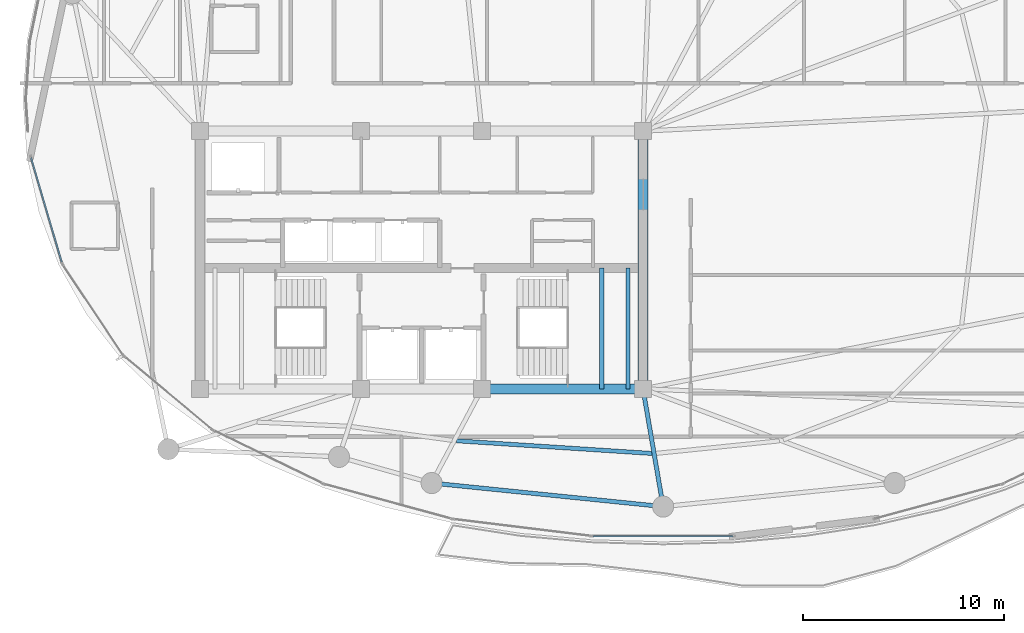
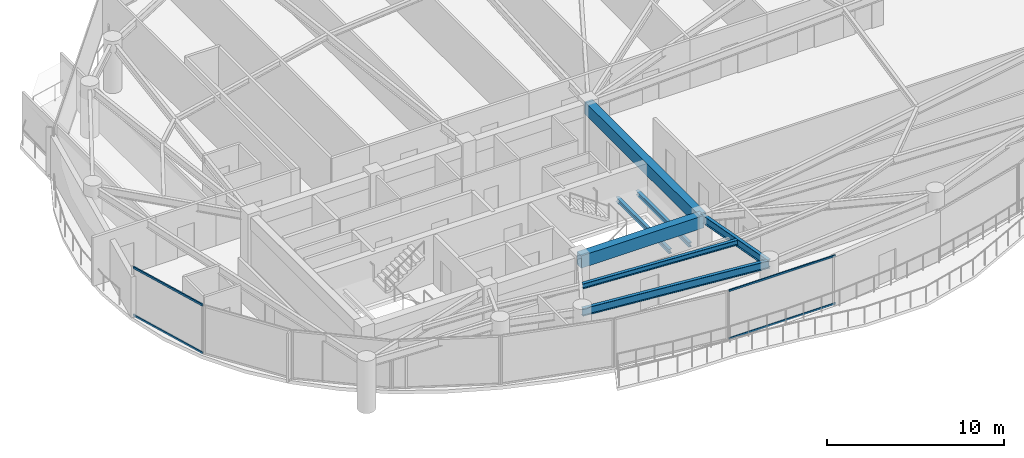
# One storey, part 6 of 29: 7 beams, 4 members, 2 elements without a shape of their own.
"""IFC4 building model written with IfcOpenShell, lengths in metres."""

from ifc_helpers import new_model, si_unit, direction, frame, origin, origin_2d, place, context, subcontext, project, spatial, rectangle, hollow_rectangle, i_section, extrude, material, layer, layer_set, material_profile, profile_set, type_object, element, aggregate, save


model = new_model("IFC4")

# Units and contexts
model_context = context("Model", 3, precision=1e-05, world=origin(), true_north=direction((0.0, 1.0)))
body_context = subcontext(model_context, "Body", "Model", "MODEL_VIEW")
ifc_project = project(units=[si_unit("LENGTHUNIT", "METRE"), si_unit("AREAUNIT", "SQUARE_METRE"), si_unit("VOLUMEUNIT", "CUBIC_METRE"), si_unit("PLANEANGLEUNIT", "RADIAN"), si_unit("MASSUNIT", "GRAM", prefix="KILO")], contexts=[model_context])

# Site, building, storey
site_placement = place(None, origin())
site = spatial("IfcSite", under=ifc_project, at=site_placement, CompositionType="ELEMENT")
building_placement = place(site_placement, origin())
building = spatial("IfcBuilding", under=site, at=building_placement, Name="Kazevale Care Tower and Concert Hall", CompositionType="ELEMENT")
storey_placement = place(building_placement, frame((0.0, 0.0, 199.199951171875)))
storey = spatial("IfcBuildingStorey", under=building, at=storey_placement, Name="L52", CompositionType="ELEMENT", Elevation=199.199951171875)

# Curtain wall, members
ifc_material_1 = material(Name="Aluminium 6063-T6 and Low-E Glass", Category="aluminium")
ifc_layer_1 = layer(ifc_material_1, 0.179931640625)
ifc_layer_set_1 = layer_set([ifc_layer_1], Name="Aluminium 6063-T6 and Low-E Glass")
curtain_wall_type_1 = type_object("IfcCurtainWallType", Name="Waist & Upper Residential Curtain Wall CW-4", PredefinedType="NOTDEFINED", material=ifc_layer_set_1)
curtain_wall_1_placement = place(storey_placement, origin())
curtain_wall_1 = element("IfcCurtainWall", 1, at=curtain_wall_1_placement, inside=storey, type_object=curtain_wall_type_1, Name="cw:L52:f12", PredefinedType="NOTDEFINED")
ifc_material_2 = material(Name="Aluminium 6063-T6", Category="aluminium")
ifc_material_profile_1 = material_profile(ifc_material_2, hollow_rectangle(XDim=0.080078125, YDim=0.139892578125, WallThickness=0.00390625, at=origin_2d()), Name="ALU80x140x4")
ifc_profile_set_1 = profile_set([ifc_material_profile_1], Name="Aluminium 6063-T6")
member_type_1 = type_object("IfcMemberType", Name="CW-4 Transom ALU80x140x4", PredefinedType="USERDEFINED", material=ifc_profile_set_1)
member_1_placement = place(storey_placement, frame((15.12548828125, 29.897705078125, 0.0400390625), z_axis=(-0.282102705943, 0.95938421047, 0.0), x_axis=(-0.95938421047, -0.282102705943, 0.0)))
member_1 = element("IfcMember", 2, at=member_1_placement, type_object=member_type_1, Name="CW-4 transom 1.1", ObjectType="TRANSOM", PredefinedType="USERDEFINED", context=body_context, shape_type="SweptSolid", body=[
    extrude(hollow_rectangle(XDim=0.080078125, YDim=0.139892578125, WallThickness=0.00390625, at=origin_2d()), origin(), (0.0, 0.0, 1.0), 5.402099609375),
])
member_2_placement = place(storey_placement, frame((15.12548828125, 29.897705078125, 3.320068359375), z_axis=(-0.282102705943, 0.95938421047, 0.0), x_axis=(-0.95938421047, -0.282102705943, 0.0)))
member_2 = element("IfcMember", 3, at=member_2_placement, type_object=member_type_1, Name="CW-4 transom 1.2", ObjectType="TRANSOM", PredefinedType="USERDEFINED", context=body_context, shape_type="SweptSolid", body=[
    extrude(hollow_rectangle(XDim=0.080078125, YDim=0.139892578125, WallThickness=0.00390625, at=origin_2d()), origin(), (0.0, 0.0, 1.0), 5.402099609375),
])
aggregate(curtain_wall_1, [member_1, member_2])

ifc_layer_2 = layer(ifc_material_1, 0.179931640625)
ifc_layer_set_2 = layer_set([ifc_layer_2], Name="Aluminium 6063-T6 and Low-E Glass")
curtain_wall_type_2 = type_object("IfcCurtainWallType", Name="Sheltered Concave Balcony Curtain Wall CW-5", PredefinedType="NOTDEFINED", material=ifc_layer_set_2)
curtain_wall_2_placement = place(storey_placement, origin())
curtain_wall_2 = element("IfcCurtainWall", 4, at=curtain_wall_2_placement, inside=storey, type_object=curtain_wall_type_2, Name="cw:L52:f06", PredefinedType="NOTDEFINED")
ifc_material_profile_2 = material_profile(ifc_material_2, hollow_rectangle(XDim=0.074951171875, YDim=0.1201171875, WallThickness=0.00390625, at=origin_2d()), Name="ALU75x120x4")
ifc_profile_set_2 = profile_set([ifc_material_profile_2], Name="Aluminium 6063-T6")
member_type_2 = type_object("IfcMemberType", Name="CW-5 Transom ALU75x120x4", PredefinedType="USERDEFINED", material=ifc_profile_set_2)
member_3_placement = place(storey_placement, frame((48.47509765625, 16.284912109375, 0.03759765625), z_axis=(-1.0, 0.0, 0.0), x_axis=(0.0, -1.0, 0.0)))
member_3 = element("IfcMember", 5, at=member_3_placement, type_object=member_type_2, Name="CW-5 transom 1.1", ObjectType="TRANSOM", PredefinedType="USERDEFINED", context=body_context, shape_type="SweptSolid", body=[
    extrude(hollow_rectangle(XDim=0.074951171875, YDim=0.1201171875, WallThickness=0.00390625, at=origin_2d()), origin(), (0.0, 0.0, 1.0), 6.9501953125),
])
member_4_placement = place(storey_placement, frame((48.47509765625, 16.284912109375, 3.322509765625), z_axis=(-1.0, 0.0, 0.0), x_axis=(0.0, -1.0, 0.0)))
member_4 = element("IfcMember", 6, at=member_4_placement, type_object=member_type_2, Name="CW-5 transom 1.2", ObjectType="TRANSOM", PredefinedType="USERDEFINED", context=body_context, shape_type="SweptSolid", body=[
    extrude(hollow_rectangle(XDim=0.074951171875, YDim=0.1201171875, WallThickness=0.00390625, at=origin_2d()), origin(), (0.0, 0.0, 1.0), 6.9501953125),
])
aggregate(curtain_wall_2, [member_3, member_4])

# Beams
ifc_material_3 = material(Name="Concrete C60", Category="concrete")
ifc_material_profile_3 = material_profile(ifc_material_3, rectangle(XDim=0.5, YDim=0.85009765625, at=origin_2d()), Name="RC-B500x850")
ifc_profile_set_3 = profile_set([ifc_material_profile_3], Name="Concrete C60")
beam_type_1 = type_object("IfcBeamType", Name="Core Coupling Beam RC500x850", PredefinedType="LINTEL", material=ifc_profile_set_3)
beam_1_placement = place(storey_placement, frame((36.0, 23.60009765625, 2.93505859375), z_axis=(1.0, 0.0, 0.0), x_axis=(0.0, 1.0, 0.0)))
element("IfcBeam", 7, at=beam_1_placement, inside=storey, type_object=beam_type_1, Name="beam:L52:coretie:3", PredefinedType="LINTEL", context=body_context, shape_type="SweptSolid", body=[
    extrude(rectangle(XDim=0.5, YDim=0.85009765625, at=origin_2d()), origin(), (0.0, 0.0, 1.0), 8.0),
])
beam_2_placement = place(storey_placement, frame((44.0, 23.60009765625, 2.93505859375), z_axis=(0.0, 1.0, 0.0), x_axis=(-1.0, 0.0, 0.0)))
element("IfcBeam", 8, at=beam_2_placement, inside=storey, type_object=beam_type_1, Name="beam:L52:coretie:4", PredefinedType="LINTEL", context=body_context, shape_type="SweptSolid", body=[
    extrude(rectangle(XDim=0.5, YDim=0.85009765625, at=origin_2d()), origin(), (0.0, 0.0, 1.0), 12.7998046875),
])
ifc_material_4 = material(Name="Steel ASTM A572 Gr 50", Category="steel")
ifc_material_profile_4 = material_profile(ifc_material_4, i_section(OverallWidth=0.2119140625, OverallDepth=0.5439453125, WebThickness=0.01318359375, FlangeThickness=0.021240234375, at=origin_2d()), Name="W530x123")
ifc_profile_set_4 = profile_set([ifc_material_profile_4], Name="Steel ASTM A572 Gr 50")
beam_type_2 = type_object("IfcBeamType", Name="Radial Floor Girder W530x123", PredefinedType="BEAM", material=ifc_profile_set_4)
beam_3_placement = place(storey_placement, frame((44.0, 23.60009765625, 3.088134765625), z_axis=(0.168493389607, -0.985702783631, 0.0), x_axis=(0.985702783631, 0.168493389607, 0.0)))
element("IfcBeam", 9, at=beam_3_placement, inside=storey, type_object=beam_type_2, Name="beam:L52:rad:13", PredefinedType="BEAM", context=body_context, shape_type="SweptSolid", body=[
    extrude(i_section(OverallWidth=0.2119140625, OverallDepth=0.5439453125, WebThickness=0.01318359375, FlangeThickness=0.021240234375, at=origin_2d()), origin(), (0.0, 0.0, 1.0), 5.93505859375),
])
ifc_material_profile_5 = material_profile(ifc_material_4, i_section(OverallWidth=0.205078125, OverallDepth=0.35400390625, WebThickness=0.009521484375, FlangeThickness=0.016845703125, at=origin_2d()), Name="W360x79")
ifc_profile_set_5 = profile_set([ifc_material_profile_5], Name="Steel ASTM A572 Gr 50")
beam_type_3 = type_object("IfcBeamType", Name="Secondary Floor Joist W360x79", PredefinedType="JOIST", material=ifc_profile_set_5)
beam_4_placement = place(storey_placement, frame((34.72998046875, 21.01904296875, 3.18310546875), z_axis=(0.997903161374, -0.064724651559, 0.0), x_axis=(0.064724651559, 0.997903161374, 0.0)))
element("IfcBeam", 10, at=beam_4_placement, inside=storey, type_object=beam_type_3, Name="beam:L52:joist:12", PredefinedType="JOIST", context=body_context, shape_type="SweptSolid", body=[
    extrude(i_section(OverallWidth=0.205078125, OverallDepth=0.35400390625, WebThickness=0.009521484375, FlangeThickness=0.016845703125, at=origin_2d()), origin(), (0.0, 0.0, 1.0), 9.735595703125),
])
ifc_material_profile_6 = material_profile(ifc_material_4, i_section(OverallWidth=0.202880859375, OverallDepth=0.302978515625, WebThickness=0.007568359375, FlangeThickness=0.01318359375, at=origin_2d()), Name="W310x60")
ifc_profile_set_6 = profile_set([ifc_material_profile_6], Name="Steel ASTM A572 Gr 50")
beam_type_4 = type_object("IfcBeamType", Name="Stair & Balcony Trimmer W310x60", PredefinedType="BEAM", material=ifc_profile_set_6)
for number, where, z_axis, x_axis, name in (
    (11, (41.949951171875, 23.60009765625, 1.448486328125), (0.0, 1.0, 0.0), (-1.0, 0.0, 0.0), "beam:L52:sttrim:ST2"),
    (12, (43.25, 23.60009765625, 1.448486328125), (0.0, 1.0, 0.0), (-1.0, 0.0, 0.0), "beam:L52:sttrim:ST2b"),
):
    element("IfcBeam", number, at=place(storey_placement, frame(where, z_axis=z_axis, x_axis=x_axis)), inside=storey, type_object=beam_type_4, Name=name, PredefinedType="BEAM", context=body_context, shape_type="SweptSolid", body=[
        extrude(i_section(OverallWidth=0.202880859375, OverallDepth=0.302978515625, WebThickness=0.007568359375, FlangeThickness=0.01318359375, at=origin_2d()), origin(), (0.0, 0.0, 1.0), 6.0),
    ])
ifc_material_profile_7 = material_profile(ifc_material_4, i_section(OverallWidth=0.208984375, OverallDepth=0.532958984375, WebThickness=0.01025390625, FlangeThickness=0.015625, at=origin_2d()), Name="W530x92")
ifc_profile_set_7 = profile_set([ifc_material_profile_7], Name="Steel ASTM A572 Gr 50")
beam_type_5 = type_object("IfcBeamType", Name="Upper Ring Beam W530x92", PredefinedType="BEAM", material=ifc_profile_set_7)
beam_5_placement = place(storey_placement, frame((33.5, 18.919921875, 3.093505859375), z_axis=(0.994865089307, -0.101209950492, 0.0), x_axis=(0.101209950492, 0.994865089307, 0.0)))
element("IfcBeam", 13, at=beam_5_placement, inside=storey, type_object=beam_type_5, Name="beam:L52:ring:12", PredefinedType="BEAM", context=body_context, shape_type="SweptSolid", body=[
    extrude(i_section(OverallWidth=0.208984375, OverallDepth=0.532958984375, WebThickness=0.01025390625, FlangeThickness=0.015625, at=origin_2d()), origin(), (0.0, 0.0, 1.0), 11.559326171875),
])

save(model, "model.ifc")
